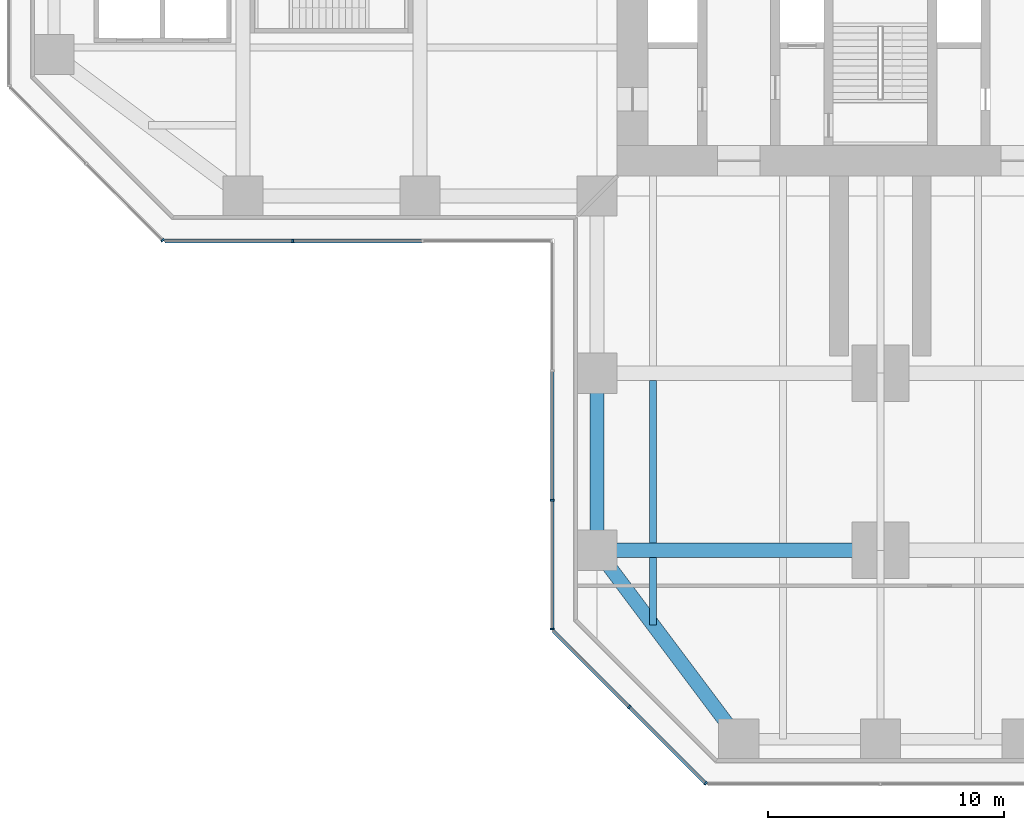
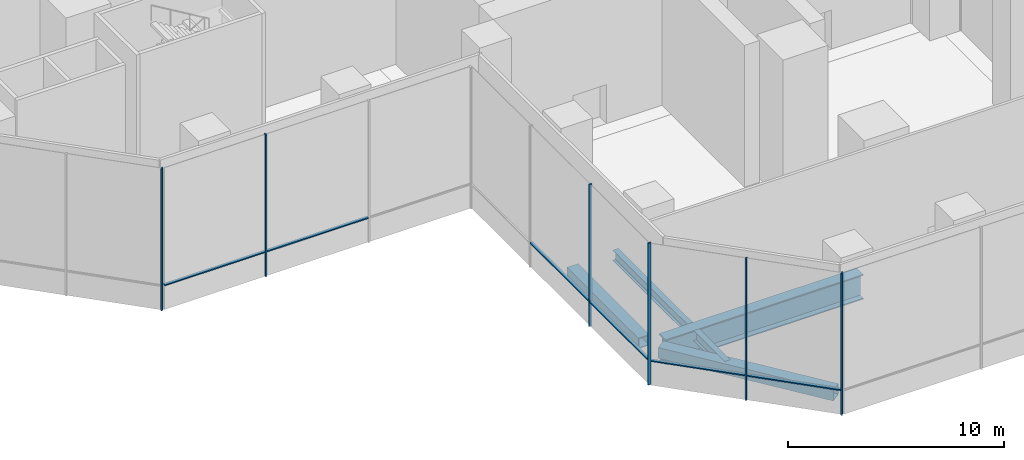
# One storey, part 2 of 25: 12 members, 5 beams, 4 elements without a shape of their own.
"""IFC4 building model written with IfcOpenShell, lengths in metres."""

from ifc_helpers import new_model, si_unit, direction, frame, origin, origin_2d, place, context, subcontext, project, spatial, rectangle, hollow_rectangle, i_section, extrude, material, material_profile, profile_set, type_object, element, aggregate, save


model = new_model("IFC4")

# Units and contexts
model_context = context("Model", 3, precision=1e-05, world=origin(), true_north=direction((0.0, 1.0)))
body_context = subcontext(model_context, "Body", "Model", "MODEL_VIEW")
ifc_project = project(units=[si_unit("LENGTHUNIT", "METRE"), si_unit("AREAUNIT", "SQUARE_METRE"), si_unit("VOLUMEUNIT", "CUBIC_METRE"), si_unit("PLANEANGLEUNIT", "RADIAN"), si_unit("MASSUNIT", "GRAM", prefix="KILO")], contexts=[model_context])

# Site, building, storey
site_placement = place(None, origin())
site = spatial("IfcSite", under=ifc_project, at=site_placement, CompositionType="ELEMENT")
building_placement = place(site_placement, origin())
building = spatial("IfcBuilding", under=site, at=building_placement, Name="Mizan Broadcast Tower", CompositionType="ELEMENT")
storey_placement = place(building_placement, frame((0.0, 0.0, 15.0)))
storey = spatial("IfcBuildingStorey", under=building, at=storey_placement, Name="L02", CompositionType="ELEMENT", Elevation=15.0)

# Beams
ifc_material_1 = material(Name="Steel S355", Category="steel")
ifc_material_profile_1 = material_profile(ifc_material_1, hollow_rectangle(XDim=0.60009765625, YDim=0.60009765625, WallThickness=0.030029296875, at=origin_2d()), Name="BOX 600x600x30")
ifc_profile_set_1 = profile_set([ifc_material_profile_1], Name="Steel S355")
beam_type_1 = type_object("IfcBeamType", Name="EDGE BEAM BOX 600x600x30", PredefinedType="SPANDREL", material=ifc_profile_set_1)
beam_1_placement = place(storey_placement, frame((-11.639892578125, -27.47998046875, -0.550048828125), z_axis=(0.599982243973, -0.800013316712, 0.0), x_axis=(0.800013316712, 0.599982243973, 0.0)))
element("IfcBeam", 1, at=beam_1_placement, inside=storey, type_object=beam_type_1, Name="Edge beam BOX 600x600x30 L02 south arm", PredefinedType="SPANDREL", context=body_context, shape_type="SweptSolid", body=[
    extrude(hollow_rectangle(XDim=0.60009765625, YDim=0.60009765625, WallThickness=0.030029296875, at=origin_2d()), origin(), (0.0, 0.0, 1.0), 8.7998046875),
])
ifc_material_2 = material(Name="Steel S355", Category="steel")
ifc_material_profile_2 = material_profile(ifc_material_2, hollow_rectangle(XDim=0.60009765625, YDim=0.60009765625, WallThickness=0.0400390625, at=origin_2d()), Name="BOX 600x600x40")
ifc_profile_set_2 = profile_set([ifc_material_profile_2], Name="Steel S355")
beam_type_2 = type_object("IfcBeamType", Name="EDGE BEAM BOX 600x600x40", PredefinedType="SPANDREL", material=ifc_profile_set_2)
beam_2_placement = place(storey_placement, frame((-12.0, -19.949951171875, -0.550048828125), z_axis=(0.0, -1.0, 0.0), x_axis=(1.0, 0.0, 0.0)))
element("IfcBeam", 2, at=beam_2_placement, inside=storey, type_object=beam_type_2, Name="Edge beam BOX 600x600x40 L02 south arm", PredefinedType="SPANDREL", context=body_context, shape_type="SweptSolid", body=[
    extrude(hollow_rectangle(XDim=0.60009765625, YDim=0.60009765625, WallThickness=0.0400390625, at=origin_2d()), origin(), (0.0, 0.0, 1.0), 6.60009765625),
])
ifc_material_3 = material(Name="Steel S460", Category="steel")
ifc_material_profile_3 = material_profile(ifc_material_3, i_section(OverallWidth=0.60009765625, OverallDepth=1.39990234375, WebThickness=0.02490234375, FlangeThickness=0.06005859375, at=origin_2d()), Name="WPG 1400x600")
ifc_profile_set_3 = profile_set([ifc_material_profile_3], Name="Steel S460")
beam_type_3 = type_object("IfcBeamType", Name="GIRDER WPG 1400x600", PredefinedType="BEAM", material=ifc_profile_set_3)
beam_3_placement = place(storey_placement, frame((-11.280029296875, -27.0, -0.949951171875), z_axis=(1.0, 0.0, 0.0), x_axis=(0.0, 1.0, 0.0)))
element("IfcBeam", 3, at=beam_3_placement, inside=storey, type_object=beam_type_3, Name="Girder WPG 1400x600 L02 south arm", PredefinedType="BEAM", context=body_context, shape_type="SweptSolid", body=[
    extrude(i_section(OverallWidth=0.60009765625, OverallDepth=1.39990234375, WebThickness=0.02490234375, FlangeThickness=0.06005859375, at=origin_2d()), origin(), (0.0, 0.0, 1.0), 10.56005859375),
])

# Curtain wall, member
ifc_material_4 = material(Name="Aluminium framed glazing", Category="aluminium")
curtain_wall_type = type_object("IfcCurtainWallType", Name="OUTER SKIN", PredefinedType="USERDEFINED", material=ifc_material_4)
curtain_wall_1_placement = place(storey_placement, origin())
curtain_wall_1 = element("IfcCurtainWall", 4, at=curtain_wall_1_placement, inside=storey, type_object=curtain_wall_type, Name="Outer skin L02 W chamfer", ObjectType="OUTER SKIN", PredefinedType="USERDEFINED")
ifc_material_5 = material(Name="Aluminium, pale anodised", Category="aluminium")
ifc_material_profile_4 = material_profile(ifc_material_5, rectangle(XDim=0.159912109375, YDim=0.080078125, at=origin_2d()), Name="MULLION 160x80")
ifc_profile_set_4 = profile_set([ifc_material_profile_4], Name="Aluminium, pale anodised")
member_type_1 = type_object("IfcMemberType", Name="OUTER SKIN MULLION 80x160", PredefinedType="MULLION", material=ifc_profile_set_4)
member_1_placement = place(storey_placement, frame((-30.401123046875, -13.871826171875, 0.0), z_axis=(0.0, 0.0, 1.0), x_axis=(0.707106781187, 0.707106781187, 0.0)))
member_1 = element("IfcMember", 5, at=member_1_placement, type_object=member_type_1, Name="Outer skin L02 W chamfer mullion 3", PredefinedType="MULLION", context=body_context, shape_type="SweptSolid", body=[
    extrude(rectangle(XDim=0.159912109375, YDim=0.080078125, at=origin_2d()), origin(), (0.0, 0.0, 1.0), 8.0),
])
aggregate(curtain_wall_1, [member_1])

curtain_wall_2_placement = place(storey_placement, origin())
curtain_wall_2 = element("IfcCurtainWall", 6, at=curtain_wall_2_placement, inside=storey, type_object=curtain_wall_type, Name="Outer skin L02 W side", ObjectType="OUTER SKIN", PredefinedType="USERDEFINED")
member_2_placement = place(storey_placement, frame((-24.8818359375, -13.89990234375, 0.0), z_axis=(0.0, 0.0, 1.0), x_axis=(0.0, 1.0, 0.0)))
member_2 = element("IfcMember", 7, at=member_2_placement, type_object=member_type_1, Name="Outer skin L02 W side mullion 2", PredefinedType="MULLION", context=body_context, shape_type="SweptSolid", body=[
    extrude(rectangle(XDim=0.159912109375, YDim=0.080078125, at=origin_2d()), origin(), (0.0, 0.0, 1.0), 8.0),
])

# Curtain wall, members
curtain_wall_3_placement = place(storey_placement, origin())
curtain_wall_3 = element("IfcCurtainWall", 8, at=curtain_wall_3_placement, inside=storey, type_object=curtain_wall_type, Name="Outer skin L02 S side", ObjectType="OUTER SKIN", PredefinedType="USERDEFINED")
member_3_placement = place(storey_placement, frame((-13.89990234375, -24.8818359375, 0.0), z_axis=(0.0, 0.0, 1.0), x_axis=(1.0, 0.0, 0.0)))
member_3 = element("IfcMember", 9, at=member_3_placement, type_object=member_type_1, Name="Outer skin L02 S side mullion 3", PredefinedType="MULLION", context=body_context, shape_type="SweptSolid", body=[
    extrude(rectangle(XDim=0.159912109375, YDim=0.080078125, at=origin_2d()), origin(), (0.0, 0.0, 1.0), 8.0),
])
member_4_placement = place(storey_placement, frame((-13.89990234375, -30.332763671875, 0.0), z_axis=(0.0, 0.0, 1.0), x_axis=(1.0, 0.0, 0.0)))
member_4 = element("IfcMember", 10, at=member_4_placement, type_object=member_type_1, Name="Outer skin L02 S side mullion 4", PredefinedType="MULLION", context=body_context, shape_type="SweptSolid", body=[
    extrude(rectangle(XDim=0.159912109375, YDim=0.080078125, at=origin_2d()), origin(), (0.0, 0.0, 1.0), 8.0),
])

curtain_wall_4_placement = place(storey_placement, origin())
curtain_wall_4 = element("IfcCurtainWall", 11, at=curtain_wall_4_placement, inside=storey, type_object=curtain_wall_type, Name="Outer skin L02 S chamfer", ObjectType="OUTER SKIN", PredefinedType="USERDEFINED")
member_5_placement = place(storey_placement, frame((-10.636474609375, -33.636474609375, 0.0), z_axis=(0.0, 0.0, 1.0), x_axis=(0.707106781187, 0.707106781187, 0.0)))
member_5 = element("IfcMember", 12, at=member_5_placement, type_object=member_type_1, Name="Outer skin L02 S chamfer mullion 2", PredefinedType="MULLION", context=body_context, shape_type="SweptSolid", body=[
    extrude(rectangle(XDim=0.159912109375, YDim=0.080078125, at=origin_2d()), origin(), (0.0, 0.0, 1.0), 8.0),
])
member_6_placement = place(storey_placement, frame((-7.401123046875, -36.871826171875, 0.0), z_axis=(0.0, 0.0, 1.0), x_axis=(0.707106781187, 0.707106781187, 0.0)))
member_6 = element("IfcMember", 13, at=member_6_placement, type_object=member_type_1, Name="Outer skin L02 S chamfer mullion 3", PredefinedType="MULLION", context=body_context, shape_type="SweptSolid", body=[
    extrude(rectangle(XDim=0.159912109375, YDim=0.080078125, at=origin_2d()), origin(), (0.0, 0.0, 1.0), 8.0),
])

# Member
ifc_material_6 = material(Name="Aluminium, pale anodised", Category="aluminium")
ifc_material_profile_5 = material_profile(ifc_material_6, rectangle(XDim=0.159912109375, YDim=0.06005859375, at=origin_2d()), Name="TRANSOM 160x60")
ifc_profile_set_5 = profile_set([ifc_material_profile_5], Name="Aluminium, pale anodised")
member_type_2 = type_object("IfcMemberType", Name="OUTER SKIN TRANSOM 60x160", PredefinedType="USERDEFINED", material=ifc_profile_set_5)
member_7_placement = place(storey_placement, frame((-30.292724609375, -13.89990234375, 1.39990234375), z_axis=(1.0, 0.0, 0.0), x_axis=(0.0, 1.0, 0.0)))
member_7 = element("IfcMember", 14, at=member_7_placement, type_object=member_type_2, Name="Outer skin L02 W side transom 1.1", ObjectType="TRANSOM", PredefinedType="USERDEFINED", context=body_context, shape_type="SweptSolid", body=[
    extrude(rectangle(XDim=0.159912109375, YDim=0.06005859375, at=origin_2d()), origin(), (0.0, 0.0, 1.0), 5.370849609375),
])

member_8_placement = place(storey_placement, frame((-24.841796875, -13.89990234375, 1.39990234375), z_axis=(1.0, 0.0, 0.0), x_axis=(0.0, 1.0, 0.0)))
member_8 = element("IfcMember", 15, at=member_8_placement, type_object=member_type_2, Name="Outer skin L02 W side transom 2.1", ObjectType="TRANSOM", PredefinedType="USERDEFINED", context=body_context, shape_type="SweptSolid", body=[
    extrude(rectangle(XDim=0.159912109375, YDim=0.06005859375, at=origin_2d()), origin(), (0.0, 0.0, 1.0), 5.410888671875),
])

aggregate(curtain_wall_2, [member_2, member_7, member_8])

member_9_placement = place(storey_placement, frame((-13.89990234375, -19.430908203125, 1.39990234375), z_axis=(0.0, -1.0, 0.0), x_axis=(1.0, 0.0, 0.0)))
member_9 = element("IfcMember", 16, at=member_9_placement, type_object=member_type_2, Name="Outer skin L02 S side transom 2.1", ObjectType="TRANSOM", PredefinedType="USERDEFINED", context=body_context, shape_type="SweptSolid", body=[
    extrude(rectangle(XDim=0.159912109375, YDim=0.06005859375, at=origin_2d()), origin(), (0.0, 0.0, 1.0), 5.410888671875),
])

member_10_placement = place(storey_placement, frame((-13.89990234375, -24.921875, 1.39990234375), z_axis=(0.0, -1.0, 0.0), x_axis=(1.0, 0.0, 0.0)))
member_10 = element("IfcMember", 17, at=member_10_placement, type_object=member_type_2, Name="Outer skin L02 S side transom 3.1", ObjectType="TRANSOM", PredefinedType="USERDEFINED", context=body_context, shape_type="SweptSolid", body=[
    extrude(rectangle(XDim=0.159912109375, YDim=0.06005859375, at=origin_2d()), origin(), (0.0, 0.0, 1.0), 5.370849609375),
])

aggregate(curtain_wall_3, [member_3, member_4, member_9, member_10])

member_11_placement = place(storey_placement, frame((-13.843505859375, -30.429443359375, 1.39990234375), z_axis=(0.707106781187, -0.707106781187, 0.0), x_axis=(0.707106781187, 0.707106781187, 0.0)))
member_11 = element("IfcMember", 18, at=member_11_placement, type_object=member_type_2, Name="Outer skin L02 S chamfer transom 1.1", ObjectType="TRANSOM", PredefinedType="USERDEFINED", context=body_context, shape_type="SweptSolid", body=[
    extrude(rectangle(XDim=0.159912109375, YDim=0.06005859375, at=origin_2d()), origin(), (0.0, 0.0, 1.0), 4.495361328125),
])

member_12_placement = place(storey_placement, frame((-10.608154296875, -33.664794921875, 1.39990234375), z_axis=(0.707106781187, -0.707106781187, 0.0), x_axis=(0.707106781187, 0.707106781187, 0.0)))
member_12 = element("IfcMember", 19, at=member_12_placement, type_object=member_type_2, Name="Outer skin L02 S chamfer transom 2.1", ObjectType="TRANSOM", PredefinedType="USERDEFINED", context=body_context, shape_type="SweptSolid", body=[
    extrude(rectangle(XDim=0.159912109375, YDim=0.06005859375, at=origin_2d()), origin(), (0.0, 0.0, 1.0), 4.495361328125),
])

aggregate(curtain_wall_4, [member_5, member_6, member_11, member_12])

# Beams
ifc_material_7 = material(Name="Steel S355", Category="steel")
ifc_material_profile_6 = material_profile(ifc_material_7, i_section(OverallWidth=0.300048828125, OverallDepth=0.590087890625, WebThickness=0.012939453125, FlangeThickness=0.02490234375, FilletRadius=0.027099609375, at=origin_2d()), Name="HEA 600")
ifc_profile_set_6 = profile_set([ifc_material_profile_6], Name="Steel S355")
beam_type_4 = type_object("IfcBeamType", Name="SECONDARY BEAM HEA 600", PredefinedType="JOIST", material=ifc_profile_set_6)
beam_4_placement = place(storey_placement, frame((-9.625, -19.800048828125, -0.544921875), z_axis=(0.0, -1.0, 0.0), x_axis=(1.0, 0.0, 0.0)))
element("IfcBeam", 20, at=beam_4_placement, inside=storey, type_object=beam_type_4, Name="Secondary beam HEA 600 L02 south arm", PredefinedType="JOIST", context=body_context, shape_type="SweptSolid", body=[
    extrude(i_section(OverallWidth=0.300048828125, OverallDepth=0.590087890625, WebThickness=0.012939453125, FlangeThickness=0.02490234375, FilletRadius=0.027099609375, at=origin_2d()), origin(), (0.0, 0.0, 1.0), 6.89990234375),
])
beam_5_placement = place(storey_placement, frame((-9.625, -27.300048828125, -0.544921875), z_axis=(0.0, -1.0, 0.0), x_axis=(1.0, 0.0, 0.0)))
element("IfcBeam", 21, at=beam_5_placement, inside=storey, type_object=beam_type_4, Name="Secondary beam HEA 600 L02 south arm", PredefinedType="JOIST", context=body_context, shape_type="SweptSolid", body=[
    extrude(i_section(OverallWidth=0.300048828125, OverallDepth=0.590087890625, WebThickness=0.012939453125, FlangeThickness=0.02490234375, FilletRadius=0.027099609375, at=origin_2d()), origin(), (0.0, 0.0, 1.0), 2.86669921875),
])

save(model, "model.ifc")
